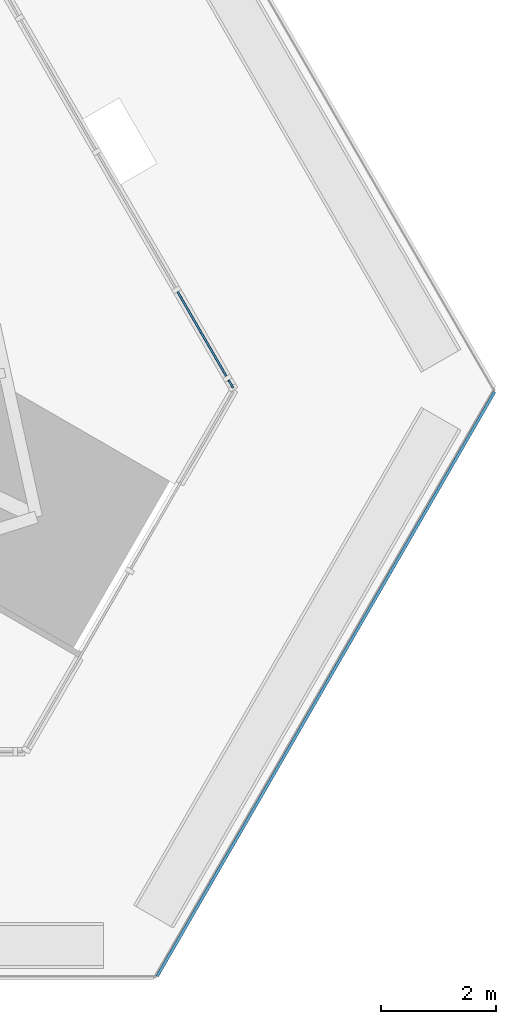
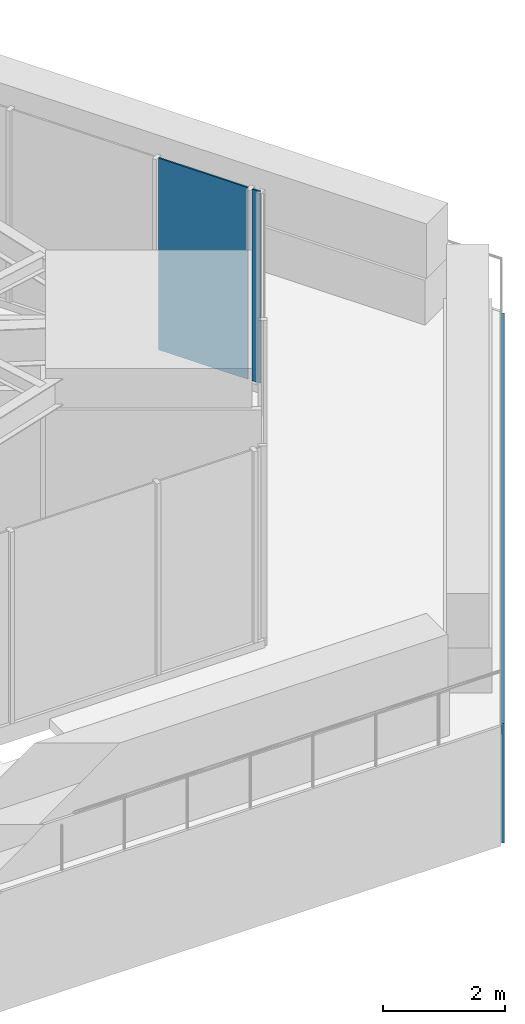
# One storey, part 20 of 29: 3 plates, 1 element without a shape of its own.
"""IFC4 building model written with IfcOpenShell, lengths in metres."""

from ifc_helpers import new_model, si_unit, direction, frame, origin, place, context, subcontext, project, spatial, polyline, outline, extrude, material, layer, layer_set, type_object, element, aggregate, save


model = new_model("IFC4")

# Units and contexts
model_context = context("Model", 3, precision=1e-05, world=origin(), true_north=direction((0.0, 1.0)))
body_context = subcontext(model_context, "Body", "Model", "MODEL_VIEW")
ifc_project = project(units=[si_unit("LENGTHUNIT", "METRE"), si_unit("AREAUNIT", "SQUARE_METRE"), si_unit("VOLUMEUNIT", "CUBIC_METRE"), si_unit("PLANEANGLEUNIT", "RADIAN"), si_unit("MASSUNIT", "GRAM", prefix="KILO")], contexts=[model_context])

# Site, building, storey
site_placement = place(None, origin())
site = spatial("IfcSite", under=ifc_project, at=site_placement, CompositionType="ELEMENT")
building_placement = place(site_placement, origin())
building = spatial("IfcBuilding", under=site, at=building_placement, Name="Firuza Gate Tower and Library", CompositionType="ELEMENT")
storey_placement = place(building_placement, frame((0.0, 0.0, 48.39990234375)))
storey = spatial("IfcBuildingStorey", under=building, at=storey_placement, Name="L10", CompositionType="ELEMENT", Elevation=48.39990234375)

# Curtain wall, plates
ifc_material_1 = material(Name="Aluminium 6063-T6", Category="aluminium")
ifc_layer_1 = layer(ifc_material_1, 0.14990234375)
ifc_layer_set_1 = layer_set([ifc_layer_1], Name="Unitised curtain wall, offices")
curtain_wall_type = type_object("IfcCurtainWallType", Name="Unitised curtain wall, offices", PredefinedType="NOTDEFINED", material=ifc_layer_set_1)
curtain_wall_placement = place(storey_placement, origin())
curtain_wall = element("IfcCurtainWall", 1, at=curtain_wall_placement, inside=storey, type_object=curtain_wall_type, Name="CW1 L10 E face", PredefinedType="NOTDEFINED")
ifc_material_2 = material(Name="Fritted glass", Category="glass")
ifc_layer_2 = layer(ifc_material_2, 0.030029296875)
ifc_layer_set_2 = layer_set([ifc_layer_2], Name="Fritted glass unit, offices")
plate_type_1 = type_object("IfcPlateType", Name="Fritted glass unit, offices", PredefinedType="CURTAIN_PANEL", material=ifc_layer_set_2)
plate_1_placement = place(storey_placement, frame((107.264892578125, 60.75146484375, 0.150146484375), z_axis=(0.866022790583, 0.50000452617, 0.0), x_axis=(-0.50000452617, 0.866022790583, 0.0)))
plate_1 = element("IfcPlate", 2, at=plate_1_placement, type_object=plate_type_1, Name="Glass unit", PredefinedType="CURTAIN_PANEL", context=body_context, shape_type="SweptSolid", body=[
    extrude(outline(polyline([(0.0, 0.0), (1.6982268145733541, 0.0), (1.6982268145733541, 3.849853515625), (0.0, 3.849853515625), (0.0, 0.0)])), origin(), (0.0, 0.0, -1.0), 0.030029296875),
])
ifc_material_3 = material(Name="Glazed ceramic tile")
ifc_layer_3 = layer(ifc_material_3, 0.030029296875)
ifc_layer_set_3 = layer_set([ifc_layer_3], Name="Opaque ceramic panel, offices")
plate_type_2 = type_object("IfcPlateType", Name="Opaque ceramic panel, offices", PredefinedType="CURTAIN_PANEL", material=ifc_layer_set_3)
plate_2_placement = place(storey_placement, frame((107.38134765625, 60.549560546875, 0.150146484375), z_axis=(0.866371464372, 0.499400125872, 0.0), x_axis=(-0.499400125872, 0.866371464372, 0.0)))
plate_2 = element("IfcPlate", 3, at=plate_2_placement, type_object=plate_type_2, Name="Opaque ceramic panel", PredefinedType="CURTAIN_PANEL", context=body_context, shape_type="SweptSolid", body=[
    extrude(outline(polyline([(0.0, 0.0), (0.15301561146294648, 0.0), (0.15301561146294648, 3.849853515625001), (0.0, 3.849853515625001), (0.0, 0.0)])), origin(), (0.0, 0.0, -1.0), 0.030029296875),
])
aggregate(curtain_wall, [plate_2, plate_1])

# Plate
ifc_material_4 = material(Name="Aluminium 6063-T6", Category="aluminium")
ifc_layer_4 = layer(ifc_material_4, 0.050048828125)
ifc_layer_set_4 = layer_set([ifc_layer_4], Name="Tray fascia panel 50")
plate_type_3 = type_object("IfcPlateType", Name="Tray fascia panel 50", PredefinedType="SHEET", material=ifc_layer_set_4)
plate_3_placement = place(storey_placement, frame((106.069091796875, 50.27294921875, -2.39990234375), z_axis=(0.866021710133, -0.500006397537, 0.0), x_axis=(0.500006397537, 0.866021710133, 0.0)))
element("IfcPlate", 4, at=plate_3_placement, inside=storey, type_object=plate_type_3, Name="Tray fascia L10 2", PredefinedType="SHEET", context=body_context, shape_type="SweptSolid", body=[
    extrude(outline(polyline([(0.0, 0.0), (11.759615159857997, 0.0), (11.759615159857997, 2.39990234375), (0.0, 2.39990234375), (0.0, 0.0)])), origin(), (0.0, 0.0, -1.0), 0.050048828125),
])

save(model, "model.ifc")
